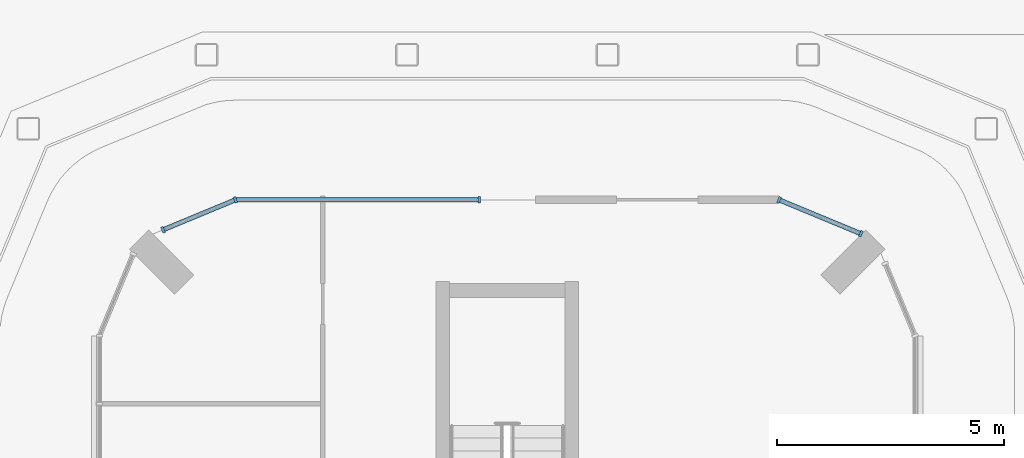
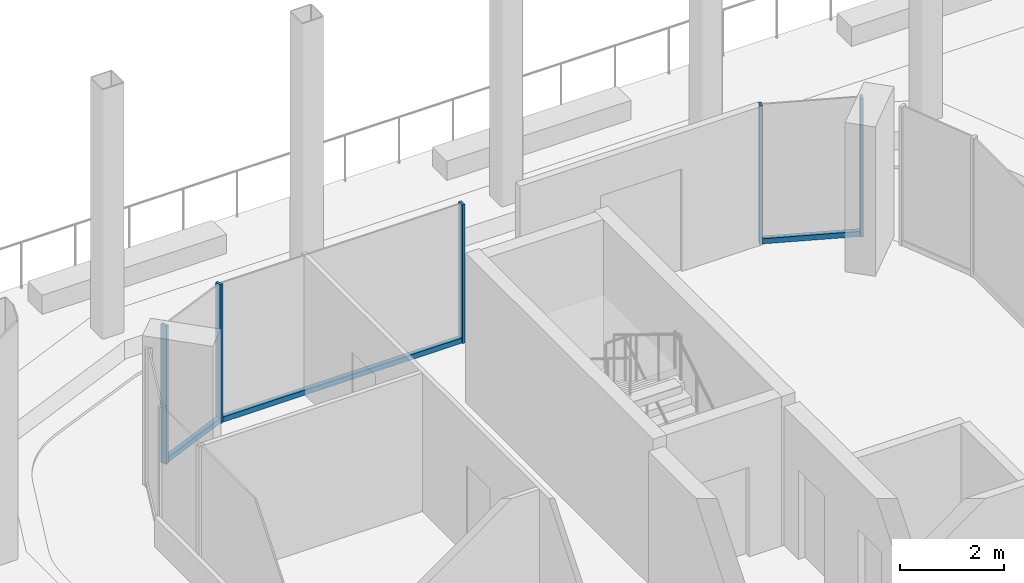
# One storey, part 18 of 33: 8 members, 3 elements without a shape of their own.
"""IFC4 building model written with IfcOpenShell, lengths in metres."""

from ifc_helpers import new_model, si_unit, direction, frame, origin, origin_2d, place, context, subcontext, project, spatial, rectangle, extrude, material, layer, layer_set, material_profile, profile_set, type_object, element, aggregate, save


model = new_model("IFC4")

# Units and contexts
model_context = context("Model", 3, precision=1e-05, world=origin(), true_north=direction((0.0, 1.0)))
body_context = subcontext(model_context, "Body", "Model", "MODEL_VIEW")
ifc_project = project(units=[si_unit("LENGTHUNIT", "METRE"), si_unit("AREAUNIT", "SQUARE_METRE"), si_unit("VOLUMEUNIT", "CUBIC_METRE"), si_unit("PLANEANGLEUNIT", "RADIAN"), si_unit("MASSUNIT", "GRAM", prefix="KILO")], contexts=[model_context])

# Site, building, storey
site_placement = place(None, origin())
site = spatial("IfcSite", under=ifc_project, at=site_placement, CompositionType="ELEMENT")
building_placement = place(site_placement, origin())
building = spatial("IfcBuilding", under=site, at=building_placement, Name="Plateau Cross Towers", CompositionType="ELEMENT")
storey_placement = place(building_placement, frame((0.0, 0.0, 26.800048828125)))
storey = spatial("IfcBuildingStorey", under=building, at=storey_placement, Name="L05", CompositionType="ELEMENT", Elevation=26.800048828125)

# Curtain wall, members
ifc_material_1 = material(Name="Dark low-iron glass", Category="glass")
ifc_layer = layer(ifc_material_1, 0.239990234375)
ifc_layer_set = layer_set([ifc_layer], Name="Dark low-iron glass")
curtain_wall_type = type_object("IfcCurtainWallType", Name="Curtain wall flush unitised CW-B", PredefinedType="NOTDEFINED", material=ifc_layer_set)
curtain_wall_1_placement = place(storey_placement, origin())
curtain_wall_1 = element("IfcCurtainWall", 1, at=curtain_wall_1_placement, inside=storey, type_object=curtain_wall_type, Name="ENV/A/L05/A168_533", PredefinedType="NOTDEFINED")
ifc_material_2 = material(Name="Black anodised aluminium", Category="aluminium")
ifc_material_profile_1 = material_profile(ifc_material_2, rectangle(XDim=0.06005859375, YDim=0.139892578125, at=origin_2d()), Name="MULLION 60x140")
ifc_profile_set_1 = profile_set([ifc_material_profile_1], Name="Black anodised aluminium")
member_type_1 = type_object("IfcMemberType", Name="Mullion 60x140 flush unitised", PredefinedType="MULLION", material=ifc_profile_set_1)
member_1_placement = place(storey_placement, frame((16.805908203125, 53.251953125, 0.0), z_axis=(0.0, 0.0, 1.0), x_axis=(-0.923879457699, 0.382683612978, 0.0)))
member_1 = element("IfcMember", 2, at=member_1_placement, type_object=member_type_1, Name="CW-B mullion 1", PredefinedType="MULLION", context=body_context, shape_type="SweptSolid", body=[
    extrude(rectangle(XDim=0.06005859375, YDim=0.139892578125, at=origin_2d()), origin(), (0.0, 0.0, 1.0), 3.25),
])
member_2_placement = place(storey_placement, frame((15.0, 54.0, 0.0), z_axis=(0.0, 0.0, 1.0), x_axis=(-0.923879457699, 0.382683612978, 0.0)))
member_2 = element("IfcMember", 3, at=member_2_placement, type_object=member_type_1, Name="CW-B mullion 2", PredefinedType="MULLION", context=body_context, shape_type="SweptSolid", body=[
    extrude(rectangle(XDim=0.06005859375, YDim=0.139892578125, at=origin_2d()), origin(), (0.0, 0.0, 1.0), 3.25),
])

# Curtain wall, member
curtain_wall_2_placement = place(storey_placement, origin())
curtain_wall_2 = element("IfcCurtainWall", 4, at=curtain_wall_2_placement, inside=storey, type_object=curtain_wall_type, Name="ENV/A/L05/A84_540", PredefinedType="NOTDEFINED")
member_3_placement = place(storey_placement, frame((8.3798828125, 54.0, 0.0), z_axis=(0.0, 0.0, 1.0), x_axis=(-1.0, 0.0, 0.0)))
member_3 = element("IfcMember", 5, at=member_3_placement, type_object=member_type_1, Name="CW-B mullion 1", PredefinedType="MULLION", context=body_context, shape_type="SweptSolid", body=[
    extrude(rectangle(XDim=0.06005859375, YDim=0.139892578125, at=origin_2d()), origin(), (0.0, 0.0, 1.0), 3.25),
])

# Curtain wall, members
curtain_wall_3_placement = place(storey_placement, origin())
curtain_wall_3 = element("IfcCurtainWall", 6, at=curtain_wall_3_placement, inside=storey, type_object=curtain_wall_type, Name="ENV/A/L05/A30_540", PredefinedType="NOTDEFINED")
member_4_placement = place(storey_placement, frame((3.0, 54.0, 0.0), z_axis=(0.0, 0.0, 1.0), x_axis=(-0.923879457699, -0.382683612978, 0.0)))
member_4 = element("IfcMember", 7, at=member_4_placement, type_object=member_type_1, Name="CW-B mullion 1", PredefinedType="MULLION", context=body_context, shape_type="SweptSolid", body=[
    extrude(rectangle(XDim=0.06005859375, YDim=0.139892578125, at=origin_2d()), origin(), (0.0, 0.0, 1.0), 3.25),
])
member_5_placement = place(storey_placement, frame((1.4033203125, 53.338623046875, 0.0), z_axis=(0.0, 0.0, 1.0), x_axis=(-0.923879457699, -0.382683612978, 0.0)))
member_5 = element("IfcMember", 8, at=member_5_placement, type_object=member_type_1, Name="CW-B mullion 2", PredefinedType="MULLION", context=body_context, shape_type="SweptSolid", body=[
    extrude(rectangle(XDim=0.06005859375, YDim=0.139892578125, at=origin_2d()), origin(), (0.0, 0.0, 1.0), 3.25),
])

# Member
ifc_material_profile_2 = material_profile(ifc_material_2, rectangle(XDim=0.10009765625, YDim=0.1201171875, at=origin_2d()), Name="TRANSOM 100x120")
ifc_profile_set_2 = profile_set([ifc_material_profile_2], Name="Black anodised aluminium")
member_type_2 = type_object("IfcMemberType", Name="Transom 100x120 flush unitised", PredefinedType="USERDEFINED", material=ifc_profile_set_2)
member_6_placement = place(storey_placement, frame((16.805908203125, 53.251953125, 0.06005859375), z_axis=(-0.92387678234, 0.382690071798, 0.0), x_axis=(-0.382690071798, -0.92387678234, 0.0)))
member_6 = element("IfcMember", 9, at=member_6_placement, type_object=member_type_2, Name="CW-B transom", ObjectType="TRANSOM", PredefinedType="USERDEFINED", context=body_context, shape_type="SweptSolid", body=[
    extrude(rectangle(XDim=0.10009765625, YDim=0.1201171875, at=origin_2d()), origin(), (0.0, 0.0, 1.0), 1.95458984375),
])

aggregate(curtain_wall_1, [member_1, member_2, member_6])

member_7_placement = place(storey_placement, frame((8.3798828125, 54.0, 0.06005859375), z_axis=(-1.0, 0.0, 0.0), x_axis=(0.0, -1.0, 0.0)))
member_7 = element("IfcMember", 10, at=member_7_placement, type_object=member_type_2, Name="CW-B transom", ObjectType="TRANSOM", PredefinedType="USERDEFINED", context=body_context, shape_type="SweptSolid", body=[
    extrude(rectangle(XDim=0.10009765625, YDim=0.1201171875, at=origin_2d()), origin(), (0.0, 0.0, 1.0), 5.3798828125),
])

aggregate(curtain_wall_2, [member_3, member_7])

member_8_placement = place(storey_placement, frame((3.0, 54.0, 0.06005859375), z_axis=(-0.923877369776, -0.382688653628, 0.0), x_axis=(0.382688653628, -0.923877369776, 0.0)))
member_8 = element("IfcMember", 11, at=member_8_placement, type_object=member_type_2, Name="CW-B transom", ObjectType="TRANSOM", PredefinedType="USERDEFINED", context=body_context, shape_type="SweptSolid", body=[
    extrude(rectangle(XDim=0.10009765625, YDim=0.1201171875, at=origin_2d()), origin(), (0.0, 0.0, 1.0), 1.728271484375),
])

aggregate(curtain_wall_3, [member_4, member_5, member_8])

save(model, "model.ifc")
